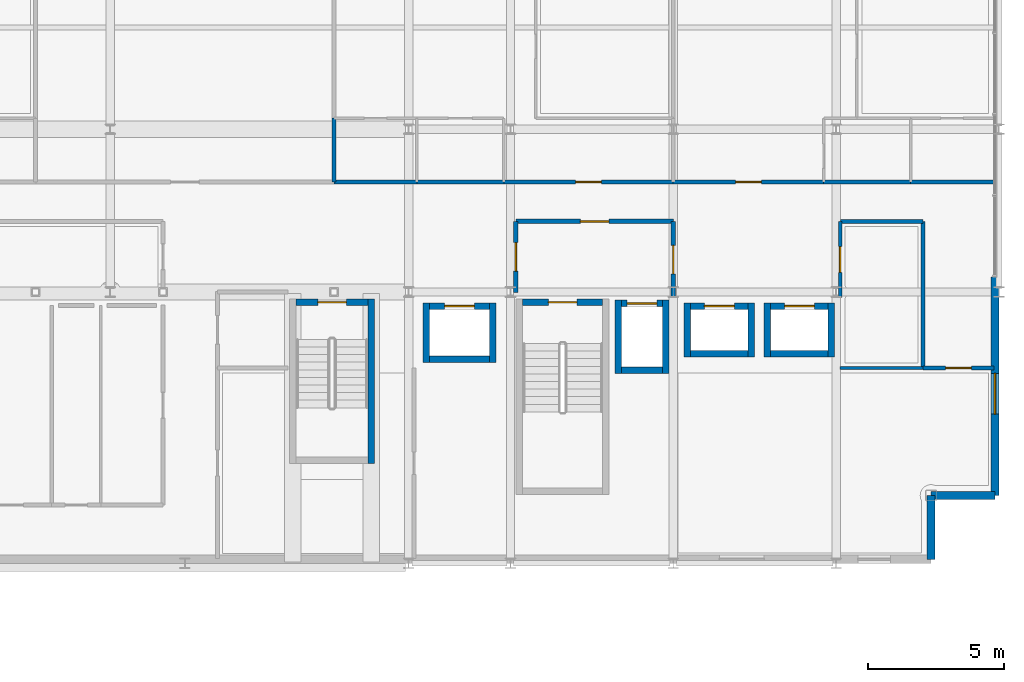
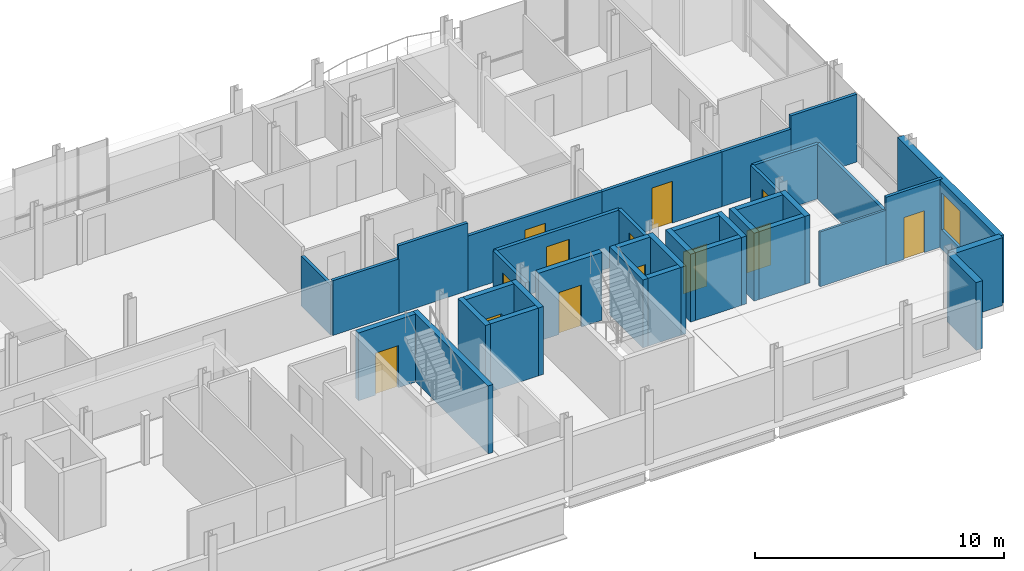
# One storey, part 29 of 35: 37 walls, 13 doors, 1 window, 14 openings.
"""IFC4 building model written with IfcOpenShell, lengths in metres."""

from ifc_helpers import new_model, si_unit, direction, frame, frame_2d, origin, place, context, subcontext, project, spatial, rectangle, extrude, material, layer, layer_set, type_object, element, fill, save


model = new_model("IFC4")

# Units and contexts
model_context = context("Model", 3, precision=1e-05, world=origin(), true_north=direction((0.0, 1.0)))
body_context = subcontext(model_context, "Body", "Model", "MODEL_VIEW")
ifc_project = project(units=[si_unit("LENGTHUNIT", "METRE"), si_unit("AREAUNIT", "SQUARE_METRE"), si_unit("VOLUMEUNIT", "CUBIC_METRE"), si_unit("PLANEANGLEUNIT", "RADIAN"), si_unit("MASSUNIT", "GRAM", prefix="KILO")], contexts=[model_context])

# Site, building, storey
site_placement = place(None, origin())
site = spatial("IfcSite", under=ifc_project, at=site_placement, CompositionType="ELEMENT")
building_placement = place(site_placement, origin())
building = spatial("IfcBuilding", under=site, at=building_placement, Name="Brevholm Reach", CompositionType="ELEMENT")
storey_placement = place(building_placement, frame((0.0, 0.0, 214.39990234375)))
storey = spatial("IfcBuildingStorey", under=building, at=storey_placement, Name="L65", CompositionType="ELEMENT", Elevation=214.39990234375)

# Wall, opening, door
ifc_material_1 = material(Name="Concrete C45/55", Category="concrete")
ifc_layer_1 = layer(ifc_material_1, 0.239990234375)
ifc_layer_set_1 = layer_set([ifc_layer_1], Name="Concrete C45/55")
wall_type_1 = type_object("IfcWallType", Name="WAL-COR-240", PredefinedType="SHEAR", material=ifc_layer_set_1)
wall_1_placement = place(storey_placement, frame((45.39990234375, 9.6201171875, 0.0), z_axis=(0.0, 0.0, 1.0), x_axis=(-1.0, 0.0, 0.0)))
wall_1 = element("IfcWall", 1, at=wall_1_placement, inside=storey, type_object=wall_type_1, Name="L65 Escape Stair ST-2 Core Wall N", PredefinedType="SHEAR", context=body_context, shape_type="SweptSolid", body=[
    extrude(rectangle(XDim=2.949951171875, YDim=0.239990234375, at=frame_2d((1.47509765625, 0.0))), origin(), (0.0, 0.0, 1.0), 3.330078125),
])
opening_1_placement = place(wall_1_placement, frame((0.949951171875, 0.0, 0.0)))
opening_1 = element("IfcOpeningElement", 2, at=opening_1_placement, cuts=wall_1, Name="Opening SD-ST-2", PredefinedType="OPENING", context=body_context, shape_type="SweptSolid", body=[
    extrude(rectangle(XDim=1.050048828125, YDim=2.06005859375, at=frame_2d((0.52490234375, 1.030029296875))), frame((0.0, 0.1298828125, 0.0), z_axis=(0.0, -1.0, 0.0), x_axis=(1.0, 0.0, 0.0)), (0.0, 0.0, 1.0), 0.260009765625),
])
ifc_material_2 = material(Name="Hardwood-Lipped Steel-Core Fire and Smoke Door", Category="steel")
door_type_1 = type_object("IfcDoorType", Name="DOR-INT-FD60S", OperationType="NOTDEFINED", PredefinedType="DOOR", material=ifc_material_2)
door_1_placement = place(opening_1_placement, origin())
door_1 = element("IfcDoor", 3, at=door_1_placement, inside=storey, type_object=door_type_1, Name="L65 Protected Stair ST-2 Lobby Door", OperationType="SINGLE_SWING_RIGHT", OverallHeight=2.06005859375, OverallWidth=1.050048828125, PredefinedType="DOOR", context=body_context, shape_type="SweptSolid", body=[
    extrude(rectangle(XDim=1.050048828125, YDim=2.06005859375, at=frame_2d((0.52490234375, 1.030029296875))), frame((0.0, 0.02490234375, 0.0), z_axis=(0.0, -1.0, 0.0), x_axis=(1.0, 0.0, 0.0)), (0.0, 0.0, 1.0), 0.050048828125),
])
fill(opening_1, door_1)

# Wall
wall_2_placement = place(storey_placement, frame((36.8701171875, 3.679931640625, 0.0), z_axis=(0.0, 0.0, 1.0), x_axis=(0.0, 1.0, 0.0)))
element("IfcWall", 4, at=wall_2_placement, inside=storey, type_object=wall_type_1, Name="L65 Escape Stair ST-3 Core Wall E", PredefinedType="SHEAR", context=body_context, shape_type="SweptSolid", body=[
    extrude(rectangle(XDim=6.06005859375, YDim=0.239990234375, at=frame_2d((3.030029296875, 0.0))), origin(), (0.0, 0.0, 1.0), 3.330078125),
])

# Wall, opening, door
wall_3_placement = place(storey_placement, frame((36.75, 9.6201171875, 0.0), z_axis=(0.0, 0.0, 1.0), x_axis=(-1.0, 0.0, 0.0)))
wall_3 = element("IfcWall", 5, at=wall_3_placement, inside=storey, type_object=wall_type_1, Name="L65 Escape Stair ST-3 Core Wall N", PredefinedType="SHEAR", context=body_context, shape_type="SweptSolid", body=[
    extrude(rectangle(XDim=2.64990234375, YDim=0.239990234375, at=frame_2d((1.324951171875, 0.0))), origin(), (0.0, 0.0, 1.0), 3.330078125),
])
opening_2_placement = place(wall_3_placement, frame((0.800048828125, 0.0, 0.0)))
opening_2 = element("IfcOpeningElement", 6, at=opening_2_placement, cuts=wall_3, Name="Opening SD-ST-3", PredefinedType="OPENING", context=body_context, shape_type="SweptSolid", body=[
    extrude(rectangle(XDim=1.050048828125, YDim=2.06005859375, at=frame_2d((0.52490234375, 1.030029296875))), frame((0.0, 0.1298828125, 0.0), z_axis=(0.0, -1.0, 0.0), x_axis=(1.0, 0.0, 0.0)), (0.0, 0.0, 1.0), 0.260009765625),
])
door_2_placement = place(opening_2_placement, origin())
door_2 = element("IfcDoor", 7, at=door_2_placement, inside=storey, type_object=door_type_1, Name="L65 Protected Stair ST-3 Lobby Door", OperationType="SINGLE_SWING_RIGHT", OverallHeight=2.06005859375, OverallWidth=1.050048828125, PredefinedType="DOOR", context=body_context, shape_type="SweptSolid", body=[
    extrude(rectangle(XDim=1.050048828125, YDim=2.06005859375, at=frame_2d((0.52490234375, 1.030029296875))), frame((0.0, 0.02490234375, 0.0), z_axis=(0.0, -1.0, 0.0), x_axis=(1.0, 0.0, 0.0)), (0.0, 0.0, 1.0), 0.050048828125),
])
fill(opening_2, door_2)

# Walls
for number, where, z_axis, x_axis, name in (
    (8, (45.969970703125, 7.0, 0.0), (0.0, 0.0, 1.0), (0.0, 1.0, 0.0), "L65 Lift FFL-2 Shaft Wall W"),
    (9, (47.72998046875, 7.0, 0.0), (0.0, 0.0, 1.0), (0.0, 1.0, 0.0), "L65 Lift FFL-2 Shaft Wall E"),
):
    element("IfcWall", number, at=place(storey_placement, frame(where, z_axis=z_axis, x_axis=x_axis)), inside=storey, type_object=wall_type_1, Name=name, PredefinedType="SHEAR", context=body_context, shape_type="SweptSolid", body=[
        extrude(rectangle(XDim=2.699951171875, YDim=0.239990234375, at=frame_2d((1.35009765625, 0.0))), origin(), (0.0, 0.0, 1.0), 3.330078125),
    ])
wall_4_placement = place(storey_placement, frame((46.090087890625, 7.1201171875, 0.0), z_axis=(0.0, 0.0, 1.0), x_axis=(1.0, 0.0, 0.0)))
element("IfcWall", 10, at=wall_4_placement, inside=storey, type_object=wall_type_1, Name="L65 Lift FFL-2 Shaft Wall S", PredefinedType="SHEAR", context=body_context, shape_type="SweptSolid", body=[
    extrude(rectangle(XDim=1.52001953125, YDim=0.239990234375, at=frame_2d((0.760009765625, 0.0))), origin(), (0.0, 0.0, 1.0), 3.330078125),
])

# Wall, opening, door
wall_5_placement = place(storey_placement, frame((46.090087890625, 9.580078125, 0.0), z_axis=(0.0, 0.0, 1.0), x_axis=(1.0, 0.0, 0.0)))
wall_5 = element("IfcWall", 11, at=wall_5_placement, inside=storey, type_object=wall_type_1, Name="L65 Lift FFL-2 Shaft Wall N", PredefinedType="SHEAR", context=body_context, shape_type="SweptSolid", body=[
    extrude(rectangle(XDim=1.52001953125, YDim=0.239990234375, at=frame_2d((0.760009765625, 0.0))), origin(), (0.0, 0.0, 1.0), 3.330078125),
])
opening_3_placement = place(wall_5_placement, frame((0.2099609375, 0.0, 0.0)))
opening_3 = element("IfcOpeningElement", 12, at=opening_3_placement, cuts=wall_5, Name="Opening LD-FFL-2", PredefinedType="OPENING", context=body_context, shape_type="SweptSolid", body=[
    extrude(rectangle(XDim=1.10009765625, YDim=2.06005859375, at=frame_2d((0.550048828125, 1.030029296875))), frame((0.0, 0.1298828125, 0.0), z_axis=(0.0, -1.0, 0.0), x_axis=(1.0, 0.0, 0.0)), (0.0, 0.0, 1.0), 0.260009765625),
])
ifc_material_3 = material(Name="Brushed Stainless Steel Fire-Rated Sliding Lift Door", Category="steel")
door_type_2 = type_object("IfcDoorType", Name="DOR-LFT-1100", OperationType="NOTDEFINED", PredefinedType="DOOR", material=ifc_material_3)
door_3_placement = place(opening_3_placement, origin())
door_3 = element("IfcDoor", 13, at=door_3_placement, inside=storey, type_object=door_type_2, Name="L65 Lift FFL-2 Sliding Landing Door", OperationType="SLIDING_TO_RIGHT", OverallHeight=2.06005859375, OverallWidth=1.10009765625, PredefinedType="DOOR", context=body_context, shape_type="SweptSolid", body=[
    extrude(rectangle(XDim=1.10009765625, YDim=2.06005859375, at=frame_2d((0.550048828125, 1.030029296875))), frame((0.0, 0.02490234375, 0.0), z_axis=(0.0, -1.0, 0.0), x_axis=(1.0, 0.0, 0.0)), (0.0, 0.0, 1.0), 0.050048828125),
])
fill(opening_3, door_3)

# Walls
for number, where, z_axis, x_axis, name in (
    (14, (38.889892578125, 7.39990234375, 0.0), (0.0, 0.0, 1.0), (0.0, 1.0, 0.0), "L65 Lift PL-S1 Shaft Wall W"),
    (15, (41.35009765625, 7.39990234375, 0.0), (0.0, 0.0, 1.0), (0.0, 1.0, 0.0), "L65 Lift PL-S1 Shaft Wall E"),
):
    element("IfcWall", number, at=place(storey_placement, frame(where, z_axis=z_axis, x_axis=x_axis)), inside=storey, type_object=wall_type_1, Name=name, PredefinedType="SHEAR", context=body_context, shape_type="SweptSolid", body=[
        extrude(rectangle(XDim=2.2001953125, YDim=0.239990234375, at=frame_2d((1.10009765625, 0.0))), origin(), (0.0, 0.0, 1.0), 3.330078125),
    ])
wall_6_placement = place(storey_placement, frame((39.010009765625, 7.52001953125, 0.0), z_axis=(0.0, 0.0, 1.0), x_axis=(1.0, 0.0, 0.0)))
element("IfcWall", 16, at=wall_6_placement, inside=storey, type_object=wall_type_1, Name="L65 Lift PL-S1 Shaft Wall S", PredefinedType="SHEAR", context=body_context, shape_type="SweptSolid", body=[
    extrude(rectangle(XDim=2.219970703125, YDim=0.239990234375, at=frame_2d((1.10986328125, 0.0))), origin(), (0.0, 0.0, 1.0), 3.330078125),
])

# Wall, opening, door
wall_7_placement = place(storey_placement, frame((39.010009765625, 9.47998046875, 0.0), z_axis=(0.0, 0.0, 1.0), x_axis=(1.0, 0.0, 0.0)))
wall_7 = element("IfcWall", 17, at=wall_7_placement, inside=storey, type_object=wall_type_1, Name="L65 Lift PL-S1 Shaft Wall N", PredefinedType="SHEAR", context=body_context, shape_type="SweptSolid", body=[
    extrude(rectangle(XDim=2.219970703125, YDim=0.239990234375, at=frame_2d((1.10986328125, 0.0))), origin(), (0.0, 0.0, 1.0), 3.330078125),
])
opening_4_placement = place(wall_7_placement, frame((0.56005859375, 0.0, 0.0)))
opening_4 = element("IfcOpeningElement", 18, at=opening_4_placement, cuts=wall_7, Name="Opening LD-PL-S1", PredefinedType="OPENING", context=body_context, shape_type="SweptSolid", body=[
    extrude(rectangle(XDim=1.10009765625, YDim=2.06005859375, at=frame_2d((0.550048828125, 1.030029296875))), frame((0.0, 0.1298828125, 0.0), z_axis=(0.0, -1.0, 0.0), x_axis=(1.0, 0.0, 0.0)), (0.0, 0.0, 1.0), 0.260009765625),
])
door_4_placement = place(opening_4_placement, origin())
door_4 = element("IfcDoor", 19, at=door_4_placement, inside=storey, type_object=door_type_2, Name="L65 Lift PL-S1 Sliding Landing Door", OperationType="SLIDING_TO_LEFT", OverallHeight=2.06005859375, OverallWidth=1.10009765625, PredefinedType="DOOR", context=body_context, shape_type="SweptSolid", body=[
    extrude(rectangle(XDim=1.10009765625, YDim=2.06005859375, at=frame_2d((0.550048828125, 1.030029296875))), frame((0.0, 0.02490234375, 0.0), z_axis=(0.0, -1.0, 0.0), x_axis=(1.0, 0.0, 0.0)), (0.0, 0.0, 1.0), 0.050048828125),
])
fill(opening_4, door_4)

# Walls
for number, where, z_axis, x_axis, name in (
    (20, (48.52001953125, 7.60009765625, 0.0), (0.0, 0.0, 1.0), (0.0, 1.0, 0.0), "L65 Lift PL-H1 Shaft Wall W"),
    (21, (50.8798828125, 7.60009765625, 0.0), (0.0, 0.0, 1.0), (0.0, 1.0, 0.0), "L65 Lift PL-H1 Shaft Wall E"),
):
    element("IfcWall", number, at=place(storey_placement, frame(where, z_axis=z_axis, x_axis=x_axis)), inside=storey, type_object=wall_type_1, Name=name, PredefinedType="SHEAR", context=body_context, shape_type="SweptSolid", body=[
        extrude(rectangle(XDim=2.0, YDim=0.239990234375, at=frame_2d((1.0, 0.0))), origin(), (0.0, 0.0, 1.0), 3.330078125),
    ])
wall_8_placement = place(storey_placement, frame((48.639892578125, 7.719970703125, 0.0), z_axis=(0.0, 0.0, 1.0), x_axis=(1.0, 0.0, 0.0)))
element("IfcWall", 22, at=wall_8_placement, inside=storey, type_object=wall_type_1, Name="L65 Lift PL-H1 Shaft Wall S", PredefinedType="SHEAR", context=body_context, shape_type="SweptSolid", body=[
    extrude(rectangle(XDim=2.1201171875, YDim=0.239990234375, at=frame_2d((1.06005859375, 0.0))), origin(), (0.0, 0.0, 1.0), 3.330078125),
])

# Wall, opening, door
wall_9_placement = place(storey_placement, frame((48.639892578125, 9.47998046875, 0.0), z_axis=(0.0, 0.0, 1.0), x_axis=(1.0, 0.0, 0.0)))
wall_9 = element("IfcWall", 23, at=wall_9_placement, inside=storey, type_object=wall_type_1, Name="L65 Lift PL-H1 Shaft Wall N", PredefinedType="SHEAR", context=body_context, shape_type="SweptSolid", body=[
    extrude(rectangle(XDim=2.1201171875, YDim=0.239990234375, at=frame_2d((1.06005859375, 0.0))), origin(), (0.0, 0.0, 1.0), 3.330078125),
])
opening_5_placement = place(wall_9_placement, frame((0.510009765625, 0.0, 0.0)))
opening_5 = element("IfcOpeningElement", 24, at=opening_5_placement, cuts=wall_9, Name="Opening LD-PL-H1", PredefinedType="OPENING", context=body_context, shape_type="SweptSolid", body=[
    extrude(rectangle(XDim=1.10009765625, YDim=2.06005859375, at=frame_2d((0.550048828125, 1.030029296875))), frame((0.0, 0.1298828125, 0.0), z_axis=(0.0, -1.0, 0.0), x_axis=(1.0, 0.0, 0.0)), (0.0, 0.0, 1.0), 0.260009765625),
])
door_5_placement = place(opening_5_placement, origin())
door_5 = element("IfcDoor", 25, at=door_5_placement, inside=storey, type_object=door_type_2, Name="L65 Lift PL-H1 Sliding Landing Door", OperationType="SLIDING_TO_RIGHT", OverallHeight=2.06005859375, OverallWidth=1.10009765625, PredefinedType="DOOR", context=body_context, shape_type="SweptSolid", body=[
    extrude(rectangle(XDim=1.10009765625, YDim=2.06005859375, at=frame_2d((0.550048828125, 1.030029296875))), frame((0.0, 0.02490234375, 0.0), z_axis=(0.0, -1.0, 0.0), x_axis=(1.0, 0.0, 0.0)), (0.0, 0.0, 1.0), 0.050048828125),
])
fill(opening_5, door_5)

# Walls
for number, where, z_axis, x_axis, name in (
    (26, (51.469970703125, 7.60009765625, 0.0), (0.0, 0.0, 1.0), (0.0, 1.0, 0.0), "L65 Lift PL-H2 Shaft Wall W"),
    (27, (53.830078125, 7.60009765625, 0.0), (0.0, 0.0, 1.0), (0.0, 1.0, 0.0), "L65 Lift PL-H2 Shaft Wall E"),
):
    element("IfcWall", number, at=place(storey_placement, frame(where, z_axis=z_axis, x_axis=x_axis)), inside=storey, type_object=wall_type_1, Name=name, PredefinedType="SHEAR", context=body_context, shape_type="SweptSolid", body=[
        extrude(rectangle(XDim=2.0, YDim=0.239990234375, at=frame_2d((1.0, 0.0))), origin(), (0.0, 0.0, 1.0), 3.330078125),
    ])
wall_10_placement = place(storey_placement, frame((51.590087890625, 7.719970703125, 0.0), z_axis=(0.0, 0.0, 1.0), x_axis=(1.0, 0.0, 0.0)))
element("IfcWall", 28, at=wall_10_placement, inside=storey, type_object=wall_type_1, Name="L65 Lift PL-H2 Shaft Wall S", PredefinedType="SHEAR", context=body_context, shape_type="SweptSolid", body=[
    extrude(rectangle(XDim=2.119873046875, YDim=0.239990234375, at=frame_2d((1.06005859375, 0.0))), origin(), (0.0, 0.0, 1.0), 3.330078125),
])

# Wall, opening, door
wall_11_placement = place(storey_placement, frame((51.590087890625, 9.47998046875, 0.0), z_axis=(0.0, 0.0, 1.0), x_axis=(1.0, 0.0, 0.0)))
wall_11 = element("IfcWall", 29, at=wall_11_placement, inside=storey, type_object=wall_type_1, Name="L65 Lift PL-H2 Shaft Wall N", PredefinedType="SHEAR", context=body_context, shape_type="SweptSolid", body=[
    extrude(rectangle(XDim=2.119873046875, YDim=0.239990234375, at=frame_2d((1.06005859375, 0.0))), origin(), (0.0, 0.0, 1.0), 3.330078125),
])
opening_6_placement = place(wall_11_placement, frame((0.510009765625, 0.0, 0.0)))
opening_6 = element("IfcOpeningElement", 30, at=opening_6_placement, cuts=wall_11, Name="Opening LD-PL-H2", PredefinedType="OPENING", context=body_context, shape_type="SweptSolid", body=[
    extrude(rectangle(XDim=1.10009765625, YDim=2.06005859375, at=frame_2d((0.550048828125, 1.030029296875))), frame((0.0, 0.1298828125, 0.0), z_axis=(0.0, -1.0, 0.0), x_axis=(1.0, 0.0, 0.0)), (0.0, 0.0, 1.0), 0.260009765625),
])
door_6_placement = place(opening_6_placement, origin())
door_6 = element("IfcDoor", 31, at=door_6_placement, inside=storey, type_object=door_type_2, Name="L65 Lift PL-H2 Sliding Landing Door", OperationType="SLIDING_TO_LEFT", OverallHeight=2.06005859375, OverallWidth=1.10009765625, PredefinedType="DOOR", context=body_context, shape_type="SweptSolid", body=[
    extrude(rectangle(XDim=1.10009765625, YDim=2.06005859375, at=frame_2d((0.550048828125, 1.030029296875))), frame((0.0, 0.02490234375, 0.0), z_axis=(0.0, -1.0, 0.0), x_axis=(1.0, 0.0, 0.0)), (0.0, 0.0, 1.0), 0.050048828125),
])
fill(opening_6, door_6)

# Walls
ifc_material_4 = material(Name="Concrete C40/50", Category="concrete")
ifc_layer_2 = layer(ifc_material_4, 0.300048828125)
ifc_layer_set_2 = layer_set([ifc_layer_2], Name="Concrete C40/50")
wall_type_2 = type_object("IfcWallType", Name="WAL-EXT-300", PredefinedType="STANDARD", material=ifc_layer_set_2)
for number, where, z_axis, x_axis, name in (
    (32, (57.5, 0.14990234375, 0.0), (0.0, 0.0, 1.0), (0.0, 1.0, 0.0), "L65 Facade Wall WAL-L65-CSE1"),
    (33, (57.5, 2.5, 0.0), (0.0, 0.0, 1.0), (1.0, 0.0, 0.0), "L65 Facade Wall WAL-L65-CSE2"),
):
    element("IfcWall", number, at=place(storey_placement, frame(where, z_axis=z_axis, x_axis=x_axis)), inside=storey, type_object=wall_type_2, Name=name, PredefinedType="STANDARD", context=body_context, shape_type="SweptSolid", body=[
        extrude(rectangle(XDim=2.35009765625, YDim=0.300048828125, at=frame_2d((1.175048828125, 0.0))), origin(), (0.0, 0.0, 1.0), 3.330078125),
    ])

# Wall, opening, window
wall_12_placement = place(storey_placement, frame((59.85009765625, 2.5, 0.0), z_axis=(0.0, 0.0, 1.0), x_axis=(0.0, 1.0, 0.0)))
wall_12 = element("IfcWall", 34, at=wall_12_placement, inside=storey, type_object=wall_type_2, Name="L65 Facade Wall WAL-L65-E-S", PredefinedType="STANDARD", context=body_context, shape_type="SweptSolid", body=[
    extrude(rectangle(XDim=8.050048828125, YDim=0.300048828125, at=frame_2d((4.02490234375, 0.0))), origin(), (0.0, 0.0, 1.0), 3.330078125),
])
opening_7_placement = place(wall_12_placement, frame((3.0, 0.0, 0.949951171875)))
opening_7 = element("IfcOpeningElement", 35, at=opening_7_placement, cuts=wall_12, Name="Opening WN-05", PredefinedType="OPENING", context=body_context, shape_type="SweptSolid", body=[
    extrude(rectangle(XDim=1.5, YDim=1.800048828125, at=frame_2d((0.75, 0.89990234375))), frame((0.0, 0.159912109375, 0.0), z_axis=(0.0, -1.0, 0.0), x_axis=(1.0, 0.0, 0.0)), (0.0, 0.0, 1.0), 0.320068359375),
])
ifc_material_5 = material(Name="Dark Anodised Aluminium and Solar-Control IGU Glass", Category="aluminium")
window_type = type_object("IfcWindowType", Name="WIN-RES-1500", PartitioningType="SINGLE_PANEL", PredefinedType="WINDOW", material=ifc_material_5)
window_placement = place(opening_7_placement, origin())
window = element("IfcWindow", 36, at=window_placement, inside=storey, type_object=window_type, Name="L65 Window WIN-L65-ES-1", OverallHeight=1.800048828125, OverallWidth=1.5, PartitioningType="SINGLE_PANEL", PredefinedType="WINDOW", context=body_context, shape_type="SweptSolid", body=[
    extrude(rectangle(XDim=1.5, YDim=1.800048828125, at=frame_2d((0.75, 0.89990234375))), frame((0.0, 0.030029296875, 0.0), z_axis=(0.0, -1.0, 0.0), x_axis=(1.0, 0.0, 0.0)), (0.0, 0.0, 1.0), 0.06005859375),
])
fill(opening_7, window)

# Wall
ifc_material_6 = material(Name="Moisture-Resistant Acoustic Gypsum Stud Partition 100 mm", Category="gypsum")
ifc_layer_3 = layer(ifc_material_6, 0.10009765625)
ifc_layer_set_3 = layer_set([ifc_layer_3], Name="Moisture-Resistant Acoustic Gypsum Stud Partition 100 mm")
wall_type_3 = type_object("IfcWallType", Name="WAL-PRT-100", PredefinedType="PARTITIONING", material=ifc_layer_set_3)
wall_13_placement = place(storey_placement, frame((54.14990234375, 7.199951171875, 0.0), z_axis=(0.0, 0.0, 1.0), x_axis=(1.0, 0.0, 0.0)))
element("IfcWall", 37, at=wall_13_placement, inside=storey, type_object=wall_type_3, Name="L65 Internal Partition 022", PredefinedType="PARTITIONING", context=body_context, shape_type="SweptSolid", body=[
    extrude(rectangle(XDim=3.050048828125, YDim=0.10009765625, at=frame_2d((1.52490234375, 0.0))), origin(), (0.0, 0.0, 1.0), 2.684814453125),
])

# Wall, opening, door
ifc_material_7 = material(Name="Twin-Stud Acoustic Fire-Rated Gypsum Partition 140 mm", Category="gypsum")
ifc_layer_4 = layer(ifc_material_7, 0.139892578125)
ifc_layer_set_4 = layer_set([ifc_layer_4], Name="Twin-Stud Acoustic Fire-Rated Gypsum Partition 140 mm")
wall_type_4 = type_object("IfcWallType", Name="WAL-PRT-140", PredefinedType="PARTITIONING", material=ifc_layer_set_4)
wall_14_placement = place(storey_placement, frame((54.14990234375, 9.800048828125, 0.0), z_axis=(0.0, 0.0, 1.0), x_axis=(0.0, 1.0, 0.0)))
wall_14 = element("IfcWall", 38, at=wall_14_placement, inside=storey, type_object=wall_type_4, Name="L65 Internal Partition 019", PredefinedType="PARTITIONING", context=body_context, shape_type="SweptSolid", body=[
    extrude(rectangle(XDim=2.800048828125, YDim=0.139892578125, at=frame_2d((1.39990234375, 0.0))), origin(), (0.0, 0.0, 1.0), 2.684814453125),
])
opening_8_placement = place(wall_14_placement, frame((0.925048828125, 0.0, 0.0)))
opening_8 = element("IfcOpeningElement", 39, at=opening_8_placement, cuts=wall_14, Name="Opening ID-30", PredefinedType="OPENING", context=body_context, shape_type="SweptSolid", body=[
    extrude(rectangle(XDim=0.949951171875, YDim=2.050048828125, at=frame_2d((0.47509765625, 1.02490234375))), frame((0.0, 0.079833984375, 0.0), z_axis=(0.0, -1.0, 0.0), x_axis=(1.0, 0.0, 0.0)), (0.0, 0.0, 1.0), 0.159912109375),
])
ifc_material_8 = material(Name="European Oak Veneered Solid-Core Fire Entrance Door", Category="timber")
door_type_3 = type_object("IfcDoorType", Name="DOR-FLT-FD30S", OperationType="NOTDEFINED", PredefinedType="DOOR", material=ifc_material_8)
door_7_placement = place(opening_8_placement, origin())
door_7 = element("IfcDoor", 40, at=door_7_placement, inside=storey, type_object=door_type_3, Name="L65 Internal Door 012", OperationType="SINGLE_SWING_LEFT", OverallHeight=2.050048828125, OverallWidth=0.949951171875, PredefinedType="DOOR", context=body_context, shape_type="SweptSolid", body=[
    extrude(rectangle(XDim=0.949951171875, YDim=2.050048828125, at=frame_2d((0.47509765625, 1.02490234375))), frame((0.0, 0.02490234375, 0.0), z_axis=(0.0, -1.0, 0.0), x_axis=(1.0, 0.0, 0.0)), (0.0, 0.0, 1.0), 0.050048828125),
])
fill(opening_8, door_7)

# Walls
wall_15_placement = place(storey_placement, frame((54.154052734375, 12.60009765625, 0.0), z_axis=(0.0, 0.0, 1.0), x_axis=(1.0, 0.0, 0.0)))
element("IfcWall", 41, at=wall_15_placement, inside=storey, type_object=wall_type_4, Name="L65 Internal Partition 020", PredefinedType="PARTITIONING", context=body_context, shape_type="SweptSolid", body=[
    extrude(rectangle(XDim=3.0458984375, YDim=0.139892578125, at=frame_2d((1.52294921875, 0.0))), origin(), (0.0, 0.0, 1.0), 2.684814453125),
])
wall_16_placement = place(storey_placement, frame((57.199951171875, 7.199951171875, 0.0), z_axis=(0.0, 0.0, 1.0), x_axis=(0.0, 1.0, 0.0)))
element("IfcWall", 42, at=wall_16_placement, inside=storey, type_object=wall_type_4, Name="L65 Internal Partition 021", PredefinedType="PARTITIONING", context=body_context, shape_type="SweptSolid", body=[
    extrude(rectangle(XDim=5.400146484375, YDim=0.139892578125, at=frame_2d((2.7001953125, 0.0))), origin(), (0.0, 0.0, 1.0), 2.684814453125),
])
wall_17_placement = place(storey_placement, frame((35.49267578125, 14.050048828125, 0.0), z_axis=(0.0, 0.0, 1.0), x_axis=(1.0, 0.0, 0.0)))
element("IfcWall", 43, at=wall_17_placement, inside=storey, type_object=wall_type_4, Name="L65 Internal Partition 029", PredefinedType="PARTITIONING", context=body_context, shape_type="SweptSolid", body=[
    extrude(rectangle(XDim=3.068603515625, YDim=0.139892578125, at=frame_2d((1.5341796875, 0.0))), origin(), (0.0, 0.0, 1.0), 2.684814453125),
])
wall_18_placement = place(storey_placement, frame((38.542724609375, 14.050048828125, 0.0), z_axis=(0.0, 0.0, 1.0), x_axis=(1.0, 0.0, 0.0)))
element("IfcWall", 44, at=wall_18_placement, inside=storey, type_object=wall_type_4, Name="L65 Internal Partition 030", PredefinedType="PARTITIONING", context=body_context, shape_type="SweptSolid", body=[
    extrude(rectangle(XDim=3.218505859375, YDim=0.139892578125, at=frame_2d((1.609375, 0.0))), origin(), (0.0, 0.0, 1.0), 3.330078125),
])

# Wall, opening, door
wall_19_placement = place(storey_placement, frame((41.74267578125, 14.050048828125, 0.0), z_axis=(0.0, 0.0, 1.0), x_axis=(1.0, 0.0, 0.0)))
wall_19 = element("IfcWall", 45, at=wall_19_placement, inside=storey, type_object=wall_type_4, Name="L65 Internal Partition 031", PredefinedType="PARTITIONING", context=body_context, shape_type="SweptSolid", body=[
    extrude(rectangle(XDim=6.2685546875, YDim=0.139892578125, at=frame_2d((3.13427734375, 0.0))), origin(), (0.0, 0.0, 1.0), 2.684814453125),
])
opening_9_placement = place(wall_19_placement, frame((2.6591796875, 0.0, 0.0)))
opening_9 = element("IfcOpeningElement", 46, at=opening_9_placement, cuts=wall_19, Name="Opening ID-30", PredefinedType="OPENING", context=body_context, shape_type="SweptSolid", body=[
    extrude(rectangle(XDim=0.949951171875, YDim=2.050048828125, at=frame_2d((0.47509765625, 1.02490234375))), frame((0.0, 0.079833984375, 0.0), z_axis=(0.0, -1.0, 0.0), x_axis=(1.0, 0.0, 0.0)), (0.0, 0.0, 1.0), 0.159912109375),
])
door_8_placement = place(opening_9_placement, origin())
door_8 = element("IfcDoor", 47, at=door_8_placement, inside=storey, type_object=door_type_3, Name="L65 Internal Door 015", OperationType="SINGLE_SWING_RIGHT", OverallHeight=2.050048828125, OverallWidth=0.949951171875, PredefinedType="DOOR", context=body_context, shape_type="SweptSolid", body=[
    extrude(rectangle(XDim=0.949951171875, YDim=2.050048828125, at=frame_2d((0.47509765625, 1.02490234375))), frame((0.0, 0.02490234375, 0.0), z_axis=(0.0, -1.0, 0.0), x_axis=(1.0, 0.0, 0.0)), (0.0, 0.0, 1.0), 0.050048828125),
])
fill(opening_9, door_8)

# Walls
wall_20_placement = place(storey_placement, frame((56.73876953125, 14.050048828125, 0.0), z_axis=(0.0, 0.0, 1.0), x_axis=(1.0, 0.0, 0.0)))
element("IfcWall", 48, at=wall_20_placement, inside=storey, type_object=wall_type_4, Name="L65 Internal Partition 032", PredefinedType="PARTITIONING", context=body_context, shape_type="SweptSolid", body=[
    extrude(rectangle(XDim=3.072509765625, YDim=0.139892578125, at=frame_2d((1.5361328125, 0.0))), origin(), (0.0, 0.0, 1.0), 3.330078125),
])
wall_21_placement = place(storey_placement, frame((53.538818359375, 14.050048828125, 0.0), z_axis=(0.0, 0.0, 1.0), x_axis=(1.0, 0.0, 0.0)))
element("IfcWall", 49, at=wall_21_placement, inside=storey, type_object=wall_type_4, Name="L65 Internal Partition 033", PredefinedType="PARTITIONING", context=body_context, shape_type="SweptSolid", body=[
    extrude(rectangle(XDim=3.218505859375, YDim=0.139892578125, at=frame_2d((1.609375, 0.0))), origin(), (0.0, 0.0, 1.0), 2.684814453125),
])

# Wall, opening, door
wall_22_placement = place(storey_placement, frame((47.99267578125, 14.050048828125, 0.0), z_axis=(0.0, 0.0, 1.0), x_axis=(1.0, 0.0, 0.0)))
wall_22 = element("IfcWall", 50, at=wall_22_placement, inside=storey, type_object=wall_type_4, Name="L65 Internal Partition 034", PredefinedType="PARTITIONING", context=body_context, shape_type="SweptSolid", body=[
    extrude(rectangle(XDim=5.564697265625, YDim=0.139892578125, at=frame_2d((2.7822265625, 0.0))), origin(), (0.0, 0.0, 1.0), 2.684814453125),
])
opening_10_placement = place(wall_22_placement, frame((2.307373046875, 0.0, 0.0)))
opening_10 = element("IfcOpeningElement", 51, at=opening_10_placement, cuts=wall_22, Name="Opening ID-30", PredefinedType="OPENING", context=body_context, shape_type="SweptSolid", body=[
    extrude(rectangle(XDim=0.949951171875, YDim=2.050048828125, at=frame_2d((0.47509765625, 1.02490234375))), frame((0.0, 0.079833984375, 0.0), z_axis=(0.0, -1.0, 0.0), x_axis=(1.0, 0.0, 0.0)), (0.0, 0.0, 1.0), 0.159912109375),
])
door_9_placement = place(opening_10_placement, origin())
door_9 = element("IfcDoor", 52, at=door_9_placement, inside=storey, type_object=door_type_3, Name="L65 Internal Door 016", OperationType="SINGLE_SWING_LEFT", OverallHeight=2.050048828125, OverallWidth=0.949951171875, PredefinedType="DOOR", context=body_context, shape_type="SweptSolid", body=[
    extrude(rectangle(XDim=0.949951171875, YDim=2.050048828125, at=frame_2d((0.47509765625, 1.02490234375))), frame((0.0, 0.02490234375, 0.0), z_axis=(0.0, -1.0, 0.0), x_axis=(1.0, 0.0, 0.0)), (0.0, 0.0, 1.0), 0.050048828125),
])
fill(opening_10, door_9)

wall_23_placement = place(storey_placement, frame((57.2041015625, 7.199951171875, 0.0), z_axis=(0.0, 0.0, 1.0), x_axis=(1.0, 0.0, 0.0)))
wall_23 = element("IfcWall", 53, at=wall_23_placement, inside=storey, type_object=wall_type_4, Name="L65 Internal Partition 038", PredefinedType="PARTITIONING", context=body_context, shape_type="SweptSolid", body=[
    extrude(rectangle(XDim=2.607177734375, YDim=0.139892578125, at=frame_2d((1.3037109375, 0.0))), origin(), (0.0, 0.0, 1.0), 3.330078125),
])
opening_11_placement = place(wall_23_placement, frame((0.82861328125, 0.0, 0.0)))
opening_11 = element("IfcOpeningElement", 54, at=opening_11_placement, cuts=wall_23, Name="Opening ID-30", PredefinedType="OPENING", context=body_context, shape_type="SweptSolid", body=[
    extrude(rectangle(XDim=0.949951171875, YDim=2.050048828125, at=frame_2d((0.47509765625, 1.02490234375))), frame((0.0, 0.079833984375, 0.0), z_axis=(0.0, -1.0, 0.0), x_axis=(1.0, 0.0, 0.0)), (0.0, 0.0, 1.0), 0.159912109375),
])
door_10_placement = place(opening_11_placement, origin())
door_10 = element("IfcDoor", 55, at=door_10_placement, inside=storey, type_object=door_type_3, Name="L65 Internal Door 018", OperationType="SINGLE_SWING_LEFT", OverallHeight=2.050048828125, OverallWidth=0.949951171875, PredefinedType="DOOR", context=body_context, shape_type="SweptSolid", body=[
    extrude(rectangle(XDim=0.949951171875, YDim=2.050048828125, at=frame_2d((0.47509765625, 1.02490234375))), frame((0.0, 0.02490234375, 0.0), z_axis=(0.0, -1.0, 0.0), x_axis=(1.0, 0.0, 0.0)), (0.0, 0.0, 1.0), 0.050048828125),
])
fill(opening_11, door_10)

# Wall
wall_24_placement = place(storey_placement, frame((35.5, 14.053955078125, 0.0), z_axis=(0.0, 0.0, 1.0), x_axis=(0.0, 1.0, 0.0)))
element("IfcWall", 56, at=wall_24_placement, inside=storey, type_object=wall_type_4, Name="L65 Internal Partition 086", PredefinedType="PARTITIONING", context=body_context, shape_type="SweptSolid", body=[
    extrude(rectangle(XDim=2.357421875, YDim=0.139892578125, at=frame_2d((1.1787109375, 0.0))), origin(), (0.0, 0.0, 1.0), 2.4541015625),
])

# Wall, opening, door
ifc_material_9 = material(Name="Twin-Frame Fire-Rated Gypsum Board and Mineral Wool 160 mm", Category="gypsum")
ifc_layer_5 = layer(ifc_material_9, 0.159912109375)
ifc_layer_set_5 = layer_set([ifc_layer_5], Name="Twin-Frame Fire-Rated Gypsum Board and Mineral Wool 160 mm")
wall_type_5 = type_object("IfcWallType", Name="WAL-PRT-160", PredefinedType="PARTITIONING", material=ifc_layer_set_5)
wall_25_placement = place(storey_placement, frame((42.199951171875, 9.98876953125, 0.0), z_axis=(0.0, 0.0, 1.0), x_axis=(0.0, 1.0, 0.0)))
wall_25 = element("IfcWall", 57, at=wall_25_placement, inside=storey, type_object=wall_type_5, Name="L65 Internal Partition 016", PredefinedType="PARTITIONING", context=body_context, shape_type="SweptSolid", body=[
    extrude(rectangle(XDim=2.611328125, YDim=0.159912109375, at=frame_2d((1.3056640625, 0.0))), origin(), (0.0, 0.0, 1.0), 2.684814453125),
])
opening_12_placement = place(wall_25_placement, frame((0.780517578125, 0.0, 0.0)))
opening_12 = element("IfcOpeningElement", 58, at=opening_12_placement, cuts=wall_25, Name="Opening FD-01", PredefinedType="OPENING", context=body_context, shape_type="SweptSolid", body=[
    extrude(rectangle(XDim=1.050048828125, YDim=2.06005859375, at=frame_2d((0.52490234375, 1.030029296875))), frame((0.0, 0.08984375, 0.0), z_axis=(0.0, -1.0, 0.0), x_axis=(1.0, 0.0, 0.0)), (0.0, 0.0, 1.0), 0.179931640625),
])
door_11_placement = place(opening_12_placement, origin())
door_11 = element("IfcDoor", 59, at=door_11_placement, inside=storey, type_object=door_type_1, Name="L65 Internal Door 009", OperationType="SINGLE_SWING_RIGHT", OverallHeight=2.06005859375, OverallWidth=1.050048828125, PredefinedType="DOOR", context=body_context, shape_type="SweptSolid", body=[
    extrude(rectangle(XDim=1.050048828125, YDim=2.06005859375, at=frame_2d((0.52490234375, 1.030029296875))), frame((0.0, 0.02490234375, 0.0), z_axis=(0.0, -1.0, 0.0), x_axis=(1.0, 0.0, 0.0)), (0.0, 0.0, 1.0), 0.050048828125),
])
fill(opening_12, door_11)

wall_26_placement = place(storey_placement, frame((48.0, 9.788818359375, 0.0), z_axis=(0.0, 0.0, 1.0), x_axis=(0.0, 1.0, 0.0)))
wall_26 = element("IfcWall", 60, at=wall_26_placement, inside=storey, type_object=wall_type_5, Name="L65 Internal Partition 017", PredefinedType="PARTITIONING", context=body_context, shape_type="SweptSolid", body=[
    extrude(rectangle(XDim=2.811279296875, YDim=0.159912109375, at=frame_2d((1.40576171875, 0.0))), origin(), (0.0, 0.0, 1.0), 2.684814453125),
])
opening_13_placement = place(wall_26_placement, frame((0.880615234375, 0.0, 0.0)))
opening_13 = element("IfcOpeningElement", 61, at=opening_13_placement, cuts=wall_26, Name="Opening FD-01", PredefinedType="OPENING", context=body_context, shape_type="SweptSolid", body=[
    extrude(rectangle(XDim=1.050048828125, YDim=2.06005859375, at=frame_2d((0.52490234375, 1.030029296875))), frame((0.0, 0.08984375, 0.0), z_axis=(0.0, -1.0, 0.0), x_axis=(1.0, 0.0, 0.0)), (0.0, 0.0, 1.0), 0.179931640625),
])
door_12_placement = place(opening_13_placement, origin())
door_12 = element("IfcDoor", 62, at=door_12_placement, inside=storey, type_object=door_type_1, Name="L65 Internal Door 010", OperationType="SINGLE_SWING_LEFT", OverallHeight=2.06005859375, OverallWidth=1.050048828125, PredefinedType="DOOR", context=body_context, shape_type="SweptSolid", body=[
    extrude(rectangle(XDim=1.050048828125, YDim=2.06005859375, at=frame_2d((0.52490234375, 1.030029296875))), frame((0.0, 0.02490234375, 0.0), z_axis=(0.0, -1.0, 0.0), x_axis=(1.0, 0.0, 0.0)), (0.0, 0.0, 1.0), 0.050048828125),
])
fill(opening_13, door_12)

wall_27_placement = place(storey_placement, frame((42.199951171875, 12.60009765625, 0.0), z_axis=(0.0, 0.0, 1.0), x_axis=(1.0, 0.0, 0.0)))
wall_27 = element("IfcWall", 63, at=wall_27_placement, inside=storey, type_object=wall_type_5, Name="L65 Internal Partition 018", PredefinedType="PARTITIONING", context=body_context, shape_type="SweptSolid", body=[
    extrude(rectangle(XDim=5.800048828125, YDim=0.159912109375, at=frame_2d((2.89990234375, 0.0))), origin(), (0.0, 0.0, 1.0), 2.684814453125),
])
opening_14_placement = place(wall_27_placement, frame((2.375, 0.0, 0.0)))
opening_14 = element("IfcOpeningElement", 64, at=opening_14_placement, cuts=wall_27, Name="Opening FD-01", PredefinedType="OPENING", context=body_context, shape_type="SweptSolid", body=[
    extrude(rectangle(XDim=1.050048828125, YDim=2.06005859375, at=frame_2d((0.52490234375, 1.030029296875))), frame((0.0, 0.08984375, 0.0), z_axis=(0.0, -1.0, 0.0), x_axis=(1.0, 0.0, 0.0)), (0.0, 0.0, 1.0), 0.179931640625),
])
door_13_placement = place(opening_14_placement, origin())
door_13 = element("IfcDoor", 65, at=door_13_placement, inside=storey, type_object=door_type_1, Name="L65 Internal Door 011", OperationType="SINGLE_SWING_RIGHT", OverallHeight=2.06005859375, OverallWidth=1.050048828125, PredefinedType="DOOR", context=body_context, shape_type="SweptSolid", body=[
    extrude(rectangle(XDim=1.050048828125, YDim=2.06005859375, at=frame_2d((0.52490234375, 1.030029296875))), frame((0.0, 0.02490234375, 0.0), z_axis=(0.0, -1.0, 0.0), x_axis=(1.0, 0.0, 0.0)), (0.0, 0.0, 1.0), 0.050048828125),
])
fill(opening_14, door_13)

save(model, "model.ifc")
